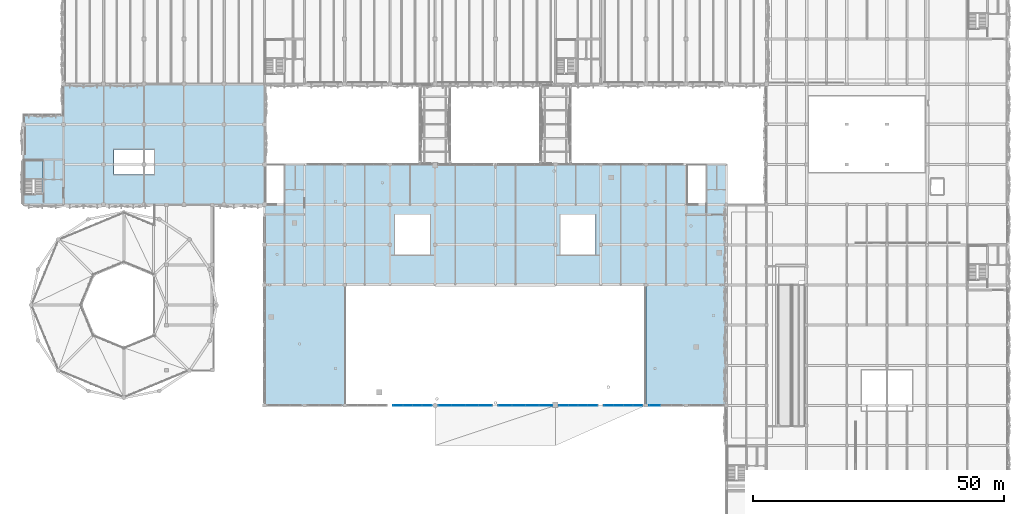
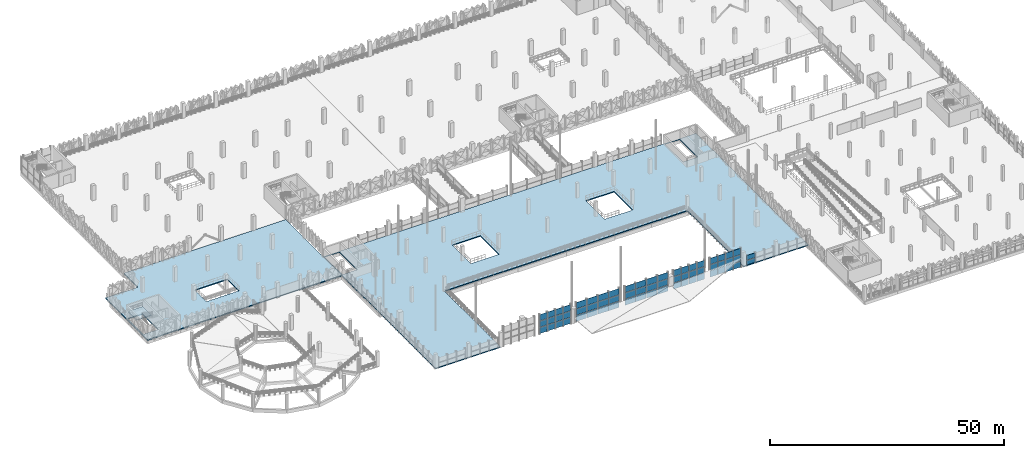
# One storey, part 61 of 123: 62 plates, 3 slabs, 7 elements without a shape of their own.
"""IFC4 building model written with IfcOpenShell, lengths in metres."""

from ifc_helpers import new_model, si_unit, derived_unit, direction, frame, origin, origin_2d, place, context, subcontext, project, spatial, polyline, rectangle, outline, extrude, material, layer, layer_set, type_object, element, aggregate, save


model = new_model("IFC4")

# Units and contexts
model_context = context("Model", 3, precision=1e-05, world=origin(), true_north=direction((0.0, 1.0)))
body_context = subcontext(model_context, "Body", "Model", "MODEL_VIEW")
ifc_project = project(units=[si_unit("LENGTHUNIT", "METRE"), si_unit("AREAUNIT", "SQUARE_METRE"), si_unit("VOLUMEUNIT", "CUBIC_METRE"), si_unit("PLANEANGLEUNIT", "RADIAN"), si_unit("MASSUNIT", "GRAM", prefix="KILO"), si_unit("THERMODYNAMICTEMPERATUREUNIT", "KELVIN"), derived_unit("THERMALTRANSMITTANCEUNIT", [(si_unit("POWERUNIT", "WATT"), 1), (si_unit("AREAUNIT", "SQUARE_METRE"), -1), (si_unit("THERMODYNAMICTEMPERATUREUNIT", "KELVIN"), -1)])], contexts=[model_context])

# Site, building, storey
site_placement = place(None, origin())
site = spatial("IfcSite", under=ifc_project, at=site_placement, CompositionType="ELEMENT")
building_placement = place(site_placement, origin())
building = spatial("IfcBuilding", under=site, at=building_placement, Name="Haiyu Intermodal Mobility Hub", CompositionType="ELEMENT")
storey_placement = place(building_placement, frame((0.0, 0.0, 5.60009765625)))
storey = spatial("IfcBuildingStorey", under=building, at=storey_placement, Name="L01", CompositionType="ELEMENT", Elevation=5.60009765625)

# Curtain wall, plates
ifc_material_1 = material(Name="Low-e laminated insulating glass", Category="glass")
ifc_layer_1 = layer(ifc_material_1, 0.219970703125)
ifc_layer_set_1 = layer_set([ifc_layer_1], Name="Low-e laminated insulating glass")
curtain_wall_type = type_object("IfcCurtainWallType", Name="CW-CW01", PredefinedType="NOTDEFINED", material=ifc_layer_set_1)
curtain_wall_1_placement = place(storey_placement, origin())
curtain_wall_1 = element("IfcCurtainWall", 1, at=curtain_wall_1_placement, inside=storey, type_object=curtain_wall_type, Name="Curtain Wall CW-V1S-UP-008", PredefinedType="NOTDEFINED")
ifc_layer_2 = layer(ifc_material_1, 0.035888671875)
ifc_layer_set_2 = layer_set([ifc_layer_2], Name="Low-e laminated insulating glass")
plate_type_1 = type_object("IfcPlateType", Name="PLT-CP01", PredefinedType="CURTAIN_PANEL", material=ifc_layer_set_2)
plate_1_placement = place(storey_placement, frame((88.6201171875, 40.0, 0.03564453125), z_axis=(0.0, 0.0, 1.0), x_axis=(1.0, 0.0, 0.0)))
plate_1 = element("IfcPlate", 2, at=plate_1_placement, type_object=plate_type_1, Name="CW-V1S-UP-008-PN01", PredefinedType="CURTAIN_PANEL", context=body_context, shape_type="SweptSolid", body=[
    extrude(rectangle(XDim=1.830078125, YDim=0.035888671875, at=origin_2d()), origin(), (0.0, 0.0, 1.0), 1.596923828125),
])
plate_2_placement = place(storey_placement, frame((88.6201171875, 40.0, 1.7021484375), z_axis=(0.0, 0.0, 1.0), x_axis=(1.0, 0.0, 0.0)))
plate_2 = element("IfcPlate", 3, at=plate_2_placement, type_object=plate_type_1, Name="CW-V1S-UP-008-PN02", PredefinedType="CURTAIN_PANEL", context=body_context, shape_type="SweptSolid", body=[
    extrude(rectangle(XDim=1.830078125, YDim=0.035888671875, at=origin_2d()), origin(), (0.0, 0.0, 1.0), 1.595947265625),
])
plate_3_placement = place(storey_placement, frame((90.5400390625, 40.0, 0.03564453125), z_axis=(0.0, 0.0, 1.0), x_axis=(1.0, 0.0, 0.0)))
plate_3 = element("IfcPlate", 4, at=plate_3_placement, type_object=plate_type_1, Name="CW-V1S-UP-008-PN04", PredefinedType="CURTAIN_PANEL", context=body_context, shape_type="SweptSolid", body=[
    extrude(rectangle(XDim=1.830078125, YDim=0.035888671875, at=origin_2d()), origin(), (0.0, 0.0, 1.0), 1.596923828125),
])
plate_4_placement = place(storey_placement, frame((90.5400390625, 40.0, 1.7021484375), z_axis=(0.0, 0.0, 1.0), x_axis=(1.0, 0.0, 0.0)))
plate_4 = element("IfcPlate", 5, at=plate_4_placement, type_object=plate_type_1, Name="CW-V1S-UP-008-PN05", PredefinedType="CURTAIN_PANEL", context=body_context, shape_type="SweptSolid", body=[
    extrude(rectangle(XDim=1.830078125, YDim=0.035888671875, at=origin_2d()), origin(), (0.0, 0.0, 1.0), 1.595947265625),
])
plate_5_placement = place(storey_placement, frame((92.4599609375, 40.0, 0.03564453125), z_axis=(0.0, 0.0, 1.0), x_axis=(1.0, 0.0, 0.0)))
plate_5 = element("IfcPlate", 6, at=plate_5_placement, type_object=plate_type_1, Name="CW-V1S-UP-008-PN07", PredefinedType="CURTAIN_PANEL", context=body_context, shape_type="SweptSolid", body=[
    extrude(rectangle(XDim=1.830078125, YDim=0.035888671875, at=origin_2d()), origin(), (0.0, 0.0, 1.0), 1.596923828125),
])
plate_6_placement = place(storey_placement, frame((92.4599609375, 40.0, 1.7021484375), z_axis=(0.0, 0.0, 1.0), x_axis=(1.0, 0.0, 0.0)))
plate_6 = element("IfcPlate", 7, at=plate_6_placement, type_object=plate_type_1, Name="CW-V1S-UP-008-PN08", PredefinedType="CURTAIN_PANEL", context=body_context, shape_type="SweptSolid", body=[
    extrude(rectangle(XDim=1.830078125, YDim=0.035888671875, at=origin_2d()), origin(), (0.0, 0.0, 1.0), 1.595947265625),
])
plate_7_placement = place(storey_placement, frame((94.3798828125, 40.0, 0.03564453125), z_axis=(0.0, 0.0, 1.0), x_axis=(1.0, 0.0, 0.0)))
plate_7 = element("IfcPlate", 8, at=plate_7_placement, type_object=plate_type_1, Name="CW-V1S-UP-008-PN10", PredefinedType="CURTAIN_PANEL", context=body_context, shape_type="SweptSolid", body=[
    extrude(rectangle(XDim=1.830078125, YDim=0.035888671875, at=origin_2d()), origin(), (0.0, 0.0, 1.0), 1.596923828125),
])
plate_8_placement = place(storey_placement, frame((94.3798828125, 40.0, 1.7021484375), z_axis=(0.0, 0.0, 1.0), x_axis=(1.0, 0.0, 0.0)))
plate_8 = element("IfcPlate", 9, at=plate_8_placement, type_object=plate_type_1, Name="CW-V1S-UP-008-PN11", PredefinedType="CURTAIN_PANEL", context=body_context, shape_type="SweptSolid", body=[
    extrude(rectangle(XDim=1.830078125, YDim=0.035888671875, at=origin_2d()), origin(), (0.0, 0.0, 1.0), 1.595947265625),
])

curtain_wall_2_placement = place(storey_placement, origin())
curtain_wall_2 = element("IfcCurtainWall", 10, at=curtain_wall_2_placement, inside=storey, type_object=curtain_wall_type, Name="Curtain Wall CW-V1S-UP-010", PredefinedType="NOTDEFINED")
plate_9_placement = place(storey_placement, frame((97.9951171875, 40.0, 0.03564453125), z_axis=(0.0, 0.0, 1.0), x_axis=(1.0, 0.0, 0.0)))
plate_9 = element("IfcPlate", 11, at=plate_9_placement, type_object=plate_type_1, Name="CW-V1S-UP-010-PN01", PredefinedType="CURTAIN_PANEL", context=body_context, shape_type="SweptSolid", body=[
    extrude(rectangle(XDim=2.580078125, YDim=0.035888671875, at=origin_2d()), origin(), (0.0, 0.0, 1.0), 1.596923828125),
])
plate_10_placement = place(storey_placement, frame((97.9951171875, 40.0, 1.7021484375), z_axis=(0.0, 0.0, 1.0), x_axis=(1.0, 0.0, 0.0)))
plate_10 = element("IfcPlate", 12, at=plate_10_placement, type_object=plate_type_1, Name="CW-V1S-UP-010-PN02", PredefinedType="CURTAIN_PANEL", context=body_context, shape_type="SweptSolid", body=[
    extrude(rectangle(XDim=2.580078125, YDim=0.035888671875, at=origin_2d()), origin(), (0.0, 0.0, 1.0), 1.595947265625),
])
plate_11_placement = place(storey_placement, frame((100.6650390625, 40.0, 0.03564453125), z_axis=(0.0, 0.0, 1.0), x_axis=(1.0, 0.0, 0.0)))
plate_11 = element("IfcPlate", 13, at=plate_11_placement, type_object=plate_type_1, Name="CW-V1S-UP-010-PN04", PredefinedType="CURTAIN_PANEL", context=body_context, shape_type="SweptSolid", body=[
    extrude(rectangle(XDim=2.580078125, YDim=0.035888671875, at=origin_2d()), origin(), (0.0, 0.0, 1.0), 1.596923828125),
])
plate_12_placement = place(storey_placement, frame((100.6650390625, 40.0, 1.7021484375), z_axis=(0.0, 0.0, 1.0), x_axis=(1.0, 0.0, 0.0)))
plate_12 = element("IfcPlate", 14, at=plate_12_placement, type_object=plate_type_1, Name="CW-V1S-UP-010-PN05", PredefinedType="CURTAIN_PANEL", context=body_context, shape_type="SweptSolid", body=[
    extrude(rectangle(XDim=2.580078125, YDim=0.035888671875, at=origin_2d()), origin(), (0.0, 0.0, 1.0), 1.595947265625),
])
plate_13_placement = place(storey_placement, frame((103.3349609375, 40.0, 0.03564453125), z_axis=(0.0, 0.0, 1.0), x_axis=(1.0, 0.0, 0.0)))
plate_13 = element("IfcPlate", 15, at=plate_13_placement, type_object=plate_type_1, Name="CW-V1S-UP-010-PN07", PredefinedType="CURTAIN_PANEL", context=body_context, shape_type="SweptSolid", body=[
    extrude(rectangle(XDim=2.580078125, YDim=0.035888671875, at=origin_2d()), origin(), (0.0, 0.0, 1.0), 1.596923828125),
])
plate_14_placement = place(storey_placement, frame((103.3349609375, 40.0, 1.7021484375), z_axis=(0.0, 0.0, 1.0), x_axis=(1.0, 0.0, 0.0)))
plate_14 = element("IfcPlate", 16, at=plate_14_placement, type_object=plate_type_1, Name="CW-V1S-UP-010-PN08", PredefinedType="CURTAIN_PANEL", context=body_context, shape_type="SweptSolid", body=[
    extrude(rectangle(XDim=2.580078125, YDim=0.035888671875, at=origin_2d()), origin(), (0.0, 0.0, 1.0), 1.595947265625),
])
plate_15_placement = place(storey_placement, frame((106.0048828125, 40.0, 0.03564453125), z_axis=(0.0, 0.0, 1.0), x_axis=(1.0, 0.0, 0.0)))
plate_15 = element("IfcPlate", 17, at=plate_15_placement, type_object=plate_type_1, Name="CW-V1S-UP-010-PN10", PredefinedType="CURTAIN_PANEL", context=body_context, shape_type="SweptSolid", body=[
    extrude(rectangle(XDim=2.580078125, YDim=0.035888671875, at=origin_2d()), origin(), (0.0, 0.0, 1.0), 1.596923828125),
])
plate_16_placement = place(storey_placement, frame((106.0048828125, 40.0, 1.7021484375), z_axis=(0.0, 0.0, 1.0), x_axis=(1.0, 0.0, 0.0)))
plate_16 = element("IfcPlate", 18, at=plate_16_placement, type_object=plate_type_1, Name="CW-V1S-UP-010-PN11", PredefinedType="CURTAIN_PANEL", context=body_context, shape_type="SweptSolid", body=[
    extrude(rectangle(XDim=2.580078125, YDim=0.035888671875, at=origin_2d()), origin(), (0.0, 0.0, 1.0), 1.595947265625),
])

curtain_wall_3_placement = place(storey_placement, origin())
curtain_wall_3 = element("IfcCurtainWall", 19, at=curtain_wall_3_placement, inside=storey, type_object=curtain_wall_type, Name="Curtain Wall CW-V1S-UP-012", PredefinedType="NOTDEFINED")
plate_17_placement = place(storey_placement, frame((109.9951171875, 40.0, 0.03564453125), z_axis=(0.0, 0.0, 1.0), x_axis=(1.0, 0.0, 0.0)))
plate_17 = element("IfcPlate", 20, at=plate_17_placement, type_object=plate_type_1, Name="CW-V1S-UP-012-PN01", PredefinedType="CURTAIN_PANEL", context=body_context, shape_type="SweptSolid", body=[
    extrude(rectangle(XDim=2.580078125, YDim=0.035888671875, at=origin_2d()), origin(), (0.0, 0.0, 1.0), 1.596923828125),
])
plate_18_placement = place(storey_placement, frame((109.9951171875, 40.0, 1.7021484375), z_axis=(0.0, 0.0, 1.0), x_axis=(1.0, 0.0, 0.0)))
plate_18 = element("IfcPlate", 21, at=plate_18_placement, type_object=plate_type_1, Name="CW-V1S-UP-012-PN02", PredefinedType="CURTAIN_PANEL", context=body_context, shape_type="SweptSolid", body=[
    extrude(rectangle(XDim=2.580078125, YDim=0.035888671875, at=origin_2d()), origin(), (0.0, 0.0, 1.0), 1.595947265625),
])
plate_19_placement = place(storey_placement, frame((112.6650390625, 40.0, 0.03564453125), z_axis=(0.0, 0.0, 1.0), x_axis=(1.0, 0.0, 0.0)))
plate_19 = element("IfcPlate", 22, at=plate_19_placement, type_object=plate_type_1, Name="CW-V1S-UP-012-PN04", PredefinedType="CURTAIN_PANEL", context=body_context, shape_type="SweptSolid", body=[
    extrude(rectangle(XDim=2.580078125, YDim=0.035888671875, at=origin_2d()), origin(), (0.0, 0.0, 1.0), 1.596923828125),
])
plate_20_placement = place(storey_placement, frame((112.6650390625, 40.0, 1.7021484375), z_axis=(0.0, 0.0, 1.0), x_axis=(1.0, 0.0, 0.0)))
plate_20 = element("IfcPlate", 23, at=plate_20_placement, type_object=plate_type_1, Name="CW-V1S-UP-012-PN05", PredefinedType="CURTAIN_PANEL", context=body_context, shape_type="SweptSolid", body=[
    extrude(rectangle(XDim=2.580078125, YDim=0.035888671875, at=origin_2d()), origin(), (0.0, 0.0, 1.0), 1.595947265625),
])
plate_21_placement = place(storey_placement, frame((115.3349609375, 40.0, 0.03564453125), z_axis=(0.0, 0.0, 1.0), x_axis=(1.0, 0.0, 0.0)))
plate_21 = element("IfcPlate", 24, at=plate_21_placement, type_object=plate_type_1, Name="CW-V1S-UP-012-PN07", PredefinedType="CURTAIN_PANEL", context=body_context, shape_type="SweptSolid", body=[
    extrude(rectangle(XDim=2.580078125, YDim=0.035888671875, at=origin_2d()), origin(), (0.0, 0.0, 1.0), 1.596923828125),
])
plate_22_placement = place(storey_placement, frame((115.3349609375, 40.0, 1.7021484375), z_axis=(0.0, 0.0, 1.0), x_axis=(1.0, 0.0, 0.0)))
plate_22 = element("IfcPlate", 25, at=plate_22_placement, type_object=plate_type_1, Name="CW-V1S-UP-012-PN08", PredefinedType="CURTAIN_PANEL", context=body_context, shape_type="SweptSolid", body=[
    extrude(rectangle(XDim=2.580078125, YDim=0.035888671875, at=origin_2d()), origin(), (0.0, 0.0, 1.0), 1.595947265625),
])
plate_23_placement = place(storey_placement, frame((118.0048828125, 40.0, 0.03564453125), z_axis=(0.0, 0.0, 1.0), x_axis=(1.0, 0.0, 0.0)))
plate_23 = element("IfcPlate", 26, at=plate_23_placement, type_object=plate_type_1, Name="CW-V1S-UP-012-PN10", PredefinedType="CURTAIN_PANEL", context=body_context, shape_type="SweptSolid", body=[
    extrude(rectangle(XDim=2.580078125, YDim=0.035888671875, at=origin_2d()), origin(), (0.0, 0.0, 1.0), 1.596923828125),
])
plate_24_placement = place(storey_placement, frame((118.0048828125, 40.0, 1.7021484375), z_axis=(0.0, 0.0, 1.0), x_axis=(1.0, 0.0, 0.0)))
plate_24 = element("IfcPlate", 27, at=plate_24_placement, type_object=plate_type_1, Name="CW-V1S-UP-012-PN11", PredefinedType="CURTAIN_PANEL", context=body_context, shape_type="SweptSolid", body=[
    extrude(rectangle(XDim=2.580078125, YDim=0.035888671875, at=origin_2d()), origin(), (0.0, 0.0, 1.0), 1.595947265625),
])

curtain_wall_4_placement = place(storey_placement, origin())
curtain_wall_4 = element("IfcCurtainWall", 28, at=curtain_wall_4_placement, inside=storey, type_object=curtain_wall_type, Name="Curtain Wall CW-V1S-UP-014", PredefinedType="NOTDEFINED")
plate_25_placement = place(storey_placement, frame((121.6201171875, 40.0, 0.03564453125), z_axis=(0.0, 0.0, 1.0), x_axis=(1.0, 0.0, 0.0)))
plate_25 = element("IfcPlate", 29, at=plate_25_placement, type_object=plate_type_1, Name="CW-V1S-UP-014-PN01", PredefinedType="CURTAIN_PANEL", context=body_context, shape_type="SweptSolid", body=[
    extrude(rectangle(XDim=1.830078125, YDim=0.035888671875, at=origin_2d()), origin(), (0.0, 0.0, 1.0), 1.596923828125),
])
plate_26_placement = place(storey_placement, frame((121.6201171875, 40.0, 1.7021484375), z_axis=(0.0, 0.0, 1.0), x_axis=(1.0, 0.0, 0.0)))
plate_26 = element("IfcPlate", 30, at=plate_26_placement, type_object=plate_type_1, Name="CW-V1S-UP-014-PN02", PredefinedType="CURTAIN_PANEL", context=body_context, shape_type="SweptSolid", body=[
    extrude(rectangle(XDim=1.830078125, YDim=0.035888671875, at=origin_2d()), origin(), (0.0, 0.0, 1.0), 1.595947265625),
])
plate_27_placement = place(storey_placement, frame((123.5400390625, 40.0, 0.03564453125), z_axis=(0.0, 0.0, 1.0), x_axis=(1.0, 0.0, 0.0)))
plate_27 = element("IfcPlate", 31, at=plate_27_placement, type_object=plate_type_1, Name="CW-V1S-UP-014-PN04", PredefinedType="CURTAIN_PANEL", context=body_context, shape_type="SweptSolid", body=[
    extrude(rectangle(XDim=1.830078125, YDim=0.035888671875, at=origin_2d()), origin(), (0.0, 0.0, 1.0), 1.596923828125),
])
plate_28_placement = place(storey_placement, frame((123.5400390625, 40.0, 1.7021484375), z_axis=(0.0, 0.0, 1.0), x_axis=(1.0, 0.0, 0.0)))
plate_28 = element("IfcPlate", 32, at=plate_28_placement, type_object=plate_type_1, Name="CW-V1S-UP-014-PN05", PredefinedType="CURTAIN_PANEL", context=body_context, shape_type="SweptSolid", body=[
    extrude(rectangle(XDim=1.830078125, YDim=0.035888671875, at=origin_2d()), origin(), (0.0, 0.0, 1.0), 1.595947265625),
])
plate_29_placement = place(storey_placement, frame((125.4599609375, 40.0, 0.03564453125), z_axis=(0.0, 0.0, 1.0), x_axis=(1.0, 0.0, 0.0)))
plate_29 = element("IfcPlate", 33, at=plate_29_placement, type_object=plate_type_1, Name="CW-V1S-UP-014-PN07", PredefinedType="CURTAIN_PANEL", context=body_context, shape_type="SweptSolid", body=[
    extrude(rectangle(XDim=1.830078125, YDim=0.035888671875, at=origin_2d()), origin(), (0.0, 0.0, 1.0), 1.596923828125),
])
plate_30_placement = place(storey_placement, frame((125.4599609375, 40.0, 1.7021484375), z_axis=(0.0, 0.0, 1.0), x_axis=(1.0, 0.0, 0.0)))
plate_30 = element("IfcPlate", 34, at=plate_30_placement, type_object=plate_type_1, Name="CW-V1S-UP-014-PN08", PredefinedType="CURTAIN_PANEL", context=body_context, shape_type="SweptSolid", body=[
    extrude(rectangle(XDim=1.830078125, YDim=0.035888671875, at=origin_2d()), origin(), (0.0, 0.0, 1.0), 1.595947265625),
])
plate_31_placement = place(storey_placement, frame((127.3798828125, 40.0, 0.03564453125), z_axis=(0.0, 0.0, 1.0), x_axis=(1.0, 0.0, 0.0)))
plate_31 = element("IfcPlate", 35, at=plate_31_placement, type_object=plate_type_1, Name="CW-V1S-UP-014-PN10", PredefinedType="CURTAIN_PANEL", context=body_context, shape_type="SweptSolid", body=[
    extrude(rectangle(XDim=1.830078125, YDim=0.035888671875, at=origin_2d()), origin(), (0.0, 0.0, 1.0), 1.596923828125),
])
plate_32_placement = place(storey_placement, frame((127.3798828125, 40.0, 1.7021484375), z_axis=(0.0, 0.0, 1.0), x_axis=(1.0, 0.0, 0.0)))
plate_32 = element("IfcPlate", 36, at=plate_32_placement, type_object=plate_type_1, Name="CW-V1S-UP-014-PN11", PredefinedType="CURTAIN_PANEL", context=body_context, shape_type="SweptSolid", body=[
    extrude(rectangle(XDim=1.830078125, YDim=0.035888671875, at=origin_2d()), origin(), (0.0, 0.0, 1.0), 1.595947265625),
])

curtain_wall_5_placement = place(storey_placement, origin())
curtain_wall_5 = element("IfcCurtainWall", 37, at=curtain_wall_5_placement, inside=storey, type_object=curtain_wall_type, Name="Curtain Wall CW-V1S-UP-016", PredefinedType="NOTDEFINED")
plate_33_placement = place(storey_placement, frame((130.6201171875, 40.0, 0.03564453125), z_axis=(0.0, 0.0, 1.0), x_axis=(1.0, 0.0, 0.0)))
plate_33 = element("IfcPlate", 38, at=plate_33_placement, type_object=plate_type_1, Name="CW-V1S-UP-016-PN01", PredefinedType="CURTAIN_PANEL", context=body_context, shape_type="SweptSolid", body=[
    extrude(rectangle(XDim=1.830078125, YDim=0.035888671875, at=origin_2d()), origin(), (0.0, 0.0, 1.0), 1.596923828125),
])
plate_34_placement = place(storey_placement, frame((130.6201171875, 40.0, 1.7021484375), z_axis=(0.0, 0.0, 1.0), x_axis=(1.0, 0.0, 0.0)))
plate_34 = element("IfcPlate", 39, at=plate_34_placement, type_object=plate_type_1, Name="CW-V1S-UP-016-PN02", PredefinedType="CURTAIN_PANEL", context=body_context, shape_type="SweptSolid", body=[
    extrude(rectangle(XDim=1.830078125, YDim=0.035888671875, at=origin_2d()), origin(), (0.0, 0.0, 1.0), 1.595947265625),
])
plate_35_placement = place(storey_placement, frame((132.5400390625, 40.0, 0.03564453125), z_axis=(0.0, 0.0, 1.0), x_axis=(1.0, 0.0, 0.0)))
plate_35 = element("IfcPlate", 40, at=plate_35_placement, type_object=plate_type_1, Name="CW-V1S-UP-016-PN04", PredefinedType="CURTAIN_PANEL", context=body_context, shape_type="SweptSolid", body=[
    extrude(rectangle(XDim=1.830078125, YDim=0.035888671875, at=origin_2d()), origin(), (0.0, 0.0, 1.0), 1.596923828125),
])
plate_36_placement = place(storey_placement, frame((132.5400390625, 40.0, 1.7021484375), z_axis=(0.0, 0.0, 1.0), x_axis=(1.0, 0.0, 0.0)))
plate_36 = element("IfcPlate", 41, at=plate_36_placement, type_object=plate_type_1, Name="CW-V1S-UP-016-PN05", PredefinedType="CURTAIN_PANEL", context=body_context, shape_type="SweptSolid", body=[
    extrude(rectangle(XDim=1.830078125, YDim=0.035888671875, at=origin_2d()), origin(), (0.0, 0.0, 1.0), 1.595947265625),
])
plate_37_placement = place(storey_placement, frame((134.4599609375, 40.0, 0.03564453125), z_axis=(0.0, 0.0, 1.0), x_axis=(1.0, 0.0, 0.0)))
plate_37 = element("IfcPlate", 42, at=plate_37_placement, type_object=plate_type_1, Name="CW-V1S-UP-016-PN07", PredefinedType="CURTAIN_PANEL", context=body_context, shape_type="SweptSolid", body=[
    extrude(rectangle(XDim=1.830078125, YDim=0.035888671875, at=origin_2d()), origin(), (0.0, 0.0, 1.0), 1.596923828125),
])
plate_38_placement = place(storey_placement, frame((134.4599609375, 40.0, 1.7021484375), z_axis=(0.0, 0.0, 1.0), x_axis=(1.0, 0.0, 0.0)))
plate_38 = element("IfcPlate", 43, at=plate_38_placement, type_object=plate_type_1, Name="CW-V1S-UP-016-PN08", PredefinedType="CURTAIN_PANEL", context=body_context, shape_type="SweptSolid", body=[
    extrude(rectangle(XDim=1.830078125, YDim=0.035888671875, at=origin_2d()), origin(), (0.0, 0.0, 1.0), 1.595947265625),
])
plate_39_placement = place(storey_placement, frame((136.3798828125, 40.0, 0.03564453125), z_axis=(0.0, 0.0, 1.0), x_axis=(1.0, 0.0, 0.0)))
plate_39 = element("IfcPlate", 44, at=plate_39_placement, type_object=plate_type_1, Name="CW-V1S-UP-016-PN10", PredefinedType="CURTAIN_PANEL", context=body_context, shape_type="SweptSolid", body=[
    extrude(rectangle(XDim=1.830078125, YDim=0.035888671875, at=origin_2d()), origin(), (0.0, 0.0, 1.0), 1.596923828125),
])
plate_40_placement = place(storey_placement, frame((136.3798828125, 40.0, 1.7021484375), z_axis=(0.0, 0.0, 1.0), x_axis=(1.0, 0.0, 0.0)))
plate_40 = element("IfcPlate", 45, at=plate_40_placement, type_object=plate_type_1, Name="CW-V1S-UP-016-PN11", PredefinedType="CURTAIN_PANEL", context=body_context, shape_type="SweptSolid", body=[
    extrude(rectangle(XDim=1.830078125, YDim=0.035888671875, at=origin_2d()), origin(), (0.0, 0.0, 1.0), 1.595947265625),
])

# Curtain wall, plate
curtain_wall_6_placement = place(storey_placement, origin())
curtain_wall_6 = element("IfcCurtainWall", 46, at=curtain_wall_6_placement, inside=storey, type_object=curtain_wall_type, Name="Curtain Wall CW-V1S-L01-018", PredefinedType="NOTDEFINED")
plate_41_placement = place(storey_placement, frame((139.77294921875, 40.0, 0.035400390625), z_axis=(0.0, 0.0, 1.0), x_axis=(1.0, 0.0, 0.0)))
plate_41 = element("IfcPlate", 47, at=plate_41_placement, type_object=plate_type_1, Name="CW-V1S-L01-018-PN01", PredefinedType="CURTAIN_PANEL", context=body_context, shape_type="SweptSolid", body=[
    extrude(rectangle(XDim=2.136962890625, YDim=0.035888671875, at=origin_2d()), origin(), (0.0, 0.0, 1.0), 1.205078125),
])

# Plate
ifc_layer_3 = layer(ifc_material_1, 0.0439453125)
ifc_layer_set_3 = layer_set([ifc_layer_3], Name="Low-e laminated insulating glass")
plate_type_2 = type_object("IfcPlateType", Name="PLT-CP04", PredefinedType="CURTAIN_PANEL", material=ifc_layer_set_3)
plate_42_placement = place(storey_placement, frame((88.6201171875, 40.0, 3.36767578125), z_axis=(0.0, 0.0, 1.0), x_axis=(1.0, 0.0, 0.0)))
plate_42 = element("IfcPlate", 48, at=plate_42_placement, type_object=plate_type_2, Name="CW-V1S-UP-008-PN03", PredefinedType="CURTAIN_PANEL", context=body_context, shape_type="SweptSolid", body=[
    extrude(rectangle(XDim=1.830078125, YDim=0.0439453125, at=origin_2d()), origin(), (0.0, 0.0, 1.0), 1.596923828125),
])

plate_43_placement = place(storey_placement, frame((90.5400390625, 40.0, 3.36767578125), z_axis=(0.0, 0.0, 1.0), x_axis=(1.0, 0.0, 0.0)))
plate_43 = element("IfcPlate", 49, at=plate_43_placement, type_object=plate_type_2, Name="CW-V1S-UP-008-PN06", PredefinedType="CURTAIN_PANEL", context=body_context, shape_type="SweptSolid", body=[
    extrude(rectangle(XDim=1.830078125, YDim=0.0439453125, at=origin_2d()), origin(), (0.0, 0.0, 1.0), 1.596923828125),
])

plate_44_placement = place(storey_placement, frame((92.4599609375, 40.0, 3.36767578125), z_axis=(0.0, 0.0, 1.0), x_axis=(1.0, 0.0, 0.0)))
plate_44 = element("IfcPlate", 50, at=plate_44_placement, type_object=plate_type_2, Name="CW-V1S-UP-008-PN09", PredefinedType="CURTAIN_PANEL", context=body_context, shape_type="SweptSolid", body=[
    extrude(rectangle(XDim=1.830078125, YDim=0.0439453125, at=origin_2d()), origin(), (0.0, 0.0, 1.0), 1.596923828125),
])

plate_45_placement = place(storey_placement, frame((94.3798828125, 40.0, 3.36767578125), z_axis=(0.0, 0.0, 1.0), x_axis=(1.0, 0.0, 0.0)))
plate_45 = element("IfcPlate", 51, at=plate_45_placement, type_object=plate_type_2, Name="CW-V1S-UP-008-PN12", PredefinedType="CURTAIN_PANEL", context=body_context, shape_type="SweptSolid", body=[
    extrude(rectangle(XDim=1.830078125, YDim=0.0439453125, at=origin_2d()), origin(), (0.0, 0.0, 1.0), 1.596923828125),
])

aggregate(curtain_wall_1, [plate_1, plate_2, plate_42, plate_3, plate_4, plate_43, plate_5, plate_6, plate_44, plate_7, plate_8, plate_45])

plate_46_placement = place(storey_placement, frame((97.9951171875, 40.0, 3.36767578125), z_axis=(0.0, 0.0, 1.0), x_axis=(1.0, 0.0, 0.0)))
plate_46 = element("IfcPlate", 52, at=plate_46_placement, type_object=plate_type_2, Name="CW-V1S-UP-010-PN03", PredefinedType="CURTAIN_PANEL", context=body_context, shape_type="SweptSolid", body=[
    extrude(rectangle(XDim=2.580078125, YDim=0.0439453125, at=origin_2d()), origin(), (0.0, 0.0, 1.0), 1.596923828125),
])

plate_47_placement = place(storey_placement, frame((100.6650390625, 40.0, 3.36767578125), z_axis=(0.0, 0.0, 1.0), x_axis=(1.0, 0.0, 0.0)))
plate_47 = element("IfcPlate", 53, at=plate_47_placement, type_object=plate_type_2, Name="CW-V1S-UP-010-PN06", PredefinedType="CURTAIN_PANEL", context=body_context, shape_type="SweptSolid", body=[
    extrude(rectangle(XDim=2.580078125, YDim=0.0439453125, at=origin_2d()), origin(), (0.0, 0.0, 1.0), 1.596923828125),
])

plate_48_placement = place(storey_placement, frame((103.3349609375, 40.0, 3.36767578125), z_axis=(0.0, 0.0, 1.0), x_axis=(1.0, 0.0, 0.0)))
plate_48 = element("IfcPlate", 54, at=plate_48_placement, type_object=plate_type_2, Name="CW-V1S-UP-010-PN09", PredefinedType="CURTAIN_PANEL", context=body_context, shape_type="SweptSolid", body=[
    extrude(rectangle(XDim=2.580078125, YDim=0.0439453125, at=origin_2d()), origin(), (0.0, 0.0, 1.0), 1.596923828125),
])

plate_49_placement = place(storey_placement, frame((106.0048828125, 40.0, 3.36767578125), z_axis=(0.0, 0.0, 1.0), x_axis=(1.0, 0.0, 0.0)))
plate_49 = element("IfcPlate", 55, at=plate_49_placement, type_object=plate_type_2, Name="CW-V1S-UP-010-PN12", PredefinedType="CURTAIN_PANEL", context=body_context, shape_type="SweptSolid", body=[
    extrude(rectangle(XDim=2.580078125, YDim=0.0439453125, at=origin_2d()), origin(), (0.0, 0.0, 1.0), 1.596923828125),
])

aggregate(curtain_wall_2, [plate_9, plate_10, plate_46, plate_11, plate_12, plate_47, plate_13, plate_14, plate_48, plate_15, plate_16, plate_49])

plate_50_placement = place(storey_placement, frame((109.9951171875, 40.0, 3.36767578125), z_axis=(0.0, 0.0, 1.0), x_axis=(1.0, 0.0, 0.0)))
plate_50 = element("IfcPlate", 56, at=plate_50_placement, type_object=plate_type_2, Name="CW-V1S-UP-012-PN03", PredefinedType="CURTAIN_PANEL", context=body_context, shape_type="SweptSolid", body=[
    extrude(rectangle(XDim=2.580078125, YDim=0.0439453125, at=origin_2d()), origin(), (0.0, 0.0, 1.0), 1.596923828125),
])

plate_51_placement = place(storey_placement, frame((112.6650390625, 40.0, 3.36767578125), z_axis=(0.0, 0.0, 1.0), x_axis=(1.0, 0.0, 0.0)))
plate_51 = element("IfcPlate", 57, at=plate_51_placement, type_object=plate_type_2, Name="CW-V1S-UP-012-PN06", PredefinedType="CURTAIN_PANEL", context=body_context, shape_type="SweptSolid", body=[
    extrude(rectangle(XDim=2.580078125, YDim=0.0439453125, at=origin_2d()), origin(), (0.0, 0.0, 1.0), 1.596923828125),
])

plate_52_placement = place(storey_placement, frame((115.3349609375, 40.0, 3.36767578125), z_axis=(0.0, 0.0, 1.0), x_axis=(1.0, 0.0, 0.0)))
plate_52 = element("IfcPlate", 58, at=plate_52_placement, type_object=plate_type_2, Name="CW-V1S-UP-012-PN09", PredefinedType="CURTAIN_PANEL", context=body_context, shape_type="SweptSolid", body=[
    extrude(rectangle(XDim=2.580078125, YDim=0.0439453125, at=origin_2d()), origin(), (0.0, 0.0, 1.0), 1.596923828125),
])

plate_53_placement = place(storey_placement, frame((118.0048828125, 40.0, 3.36767578125), z_axis=(0.0, 0.0, 1.0), x_axis=(1.0, 0.0, 0.0)))
plate_53 = element("IfcPlate", 59, at=plate_53_placement, type_object=plate_type_2, Name="CW-V1S-UP-012-PN12", PredefinedType="CURTAIN_PANEL", context=body_context, shape_type="SweptSolid", body=[
    extrude(rectangle(XDim=2.580078125, YDim=0.0439453125, at=origin_2d()), origin(), (0.0, 0.0, 1.0), 1.596923828125),
])

aggregate(curtain_wall_3, [plate_17, plate_18, plate_50, plate_19, plate_20, plate_51, plate_21, plate_22, plate_52, plate_23, plate_24, plate_53])

plate_54_placement = place(storey_placement, frame((121.6201171875, 40.0, 3.36767578125), z_axis=(0.0, 0.0, 1.0), x_axis=(1.0, 0.0, 0.0)))
plate_54 = element("IfcPlate", 60, at=plate_54_placement, type_object=plate_type_2, Name="CW-V1S-UP-014-PN03", PredefinedType="CURTAIN_PANEL", context=body_context, shape_type="SweptSolid", body=[
    extrude(rectangle(XDim=1.830078125, YDim=0.0439453125, at=origin_2d()), origin(), (0.0, 0.0, 1.0), 1.596923828125),
])

plate_55_placement = place(storey_placement, frame((123.5400390625, 40.0, 3.36767578125), z_axis=(0.0, 0.0, 1.0), x_axis=(1.0, 0.0, 0.0)))
plate_55 = element("IfcPlate", 61, at=plate_55_placement, type_object=plate_type_2, Name="CW-V1S-UP-014-PN06", PredefinedType="CURTAIN_PANEL", context=body_context, shape_type="SweptSolid", body=[
    extrude(rectangle(XDim=1.830078125, YDim=0.0439453125, at=origin_2d()), origin(), (0.0, 0.0, 1.0), 1.596923828125),
])

plate_56_placement = place(storey_placement, frame((125.4599609375, 40.0, 3.36767578125), z_axis=(0.0, 0.0, 1.0), x_axis=(1.0, 0.0, 0.0)))
plate_56 = element("IfcPlate", 62, at=plate_56_placement, type_object=plate_type_2, Name="CW-V1S-UP-014-PN09", PredefinedType="CURTAIN_PANEL", context=body_context, shape_type="SweptSolid", body=[
    extrude(rectangle(XDim=1.830078125, YDim=0.0439453125, at=origin_2d()), origin(), (0.0, 0.0, 1.0), 1.596923828125),
])

plate_57_placement = place(storey_placement, frame((127.3798828125, 40.0, 3.36767578125), z_axis=(0.0, 0.0, 1.0), x_axis=(1.0, 0.0, 0.0)))
plate_57 = element("IfcPlate", 63, at=plate_57_placement, type_object=plate_type_2, Name="CW-V1S-UP-014-PN12", PredefinedType="CURTAIN_PANEL", context=body_context, shape_type="SweptSolid", body=[
    extrude(rectangle(XDim=1.830078125, YDim=0.0439453125, at=origin_2d()), origin(), (0.0, 0.0, 1.0), 1.596923828125),
])

aggregate(curtain_wall_4, [plate_25, plate_26, plate_54, plate_27, plate_28, plate_55, plate_29, plate_30, plate_56, plate_31, plate_32, plate_57])

plate_58_placement = place(storey_placement, frame((130.6201171875, 40.0, 3.36767578125), z_axis=(0.0, 0.0, 1.0), x_axis=(1.0, 0.0, 0.0)))
plate_58 = element("IfcPlate", 64, at=plate_58_placement, type_object=plate_type_2, Name="CW-V1S-UP-016-PN03", PredefinedType="CURTAIN_PANEL", context=body_context, shape_type="SweptSolid", body=[
    extrude(rectangle(XDim=1.830078125, YDim=0.0439453125, at=origin_2d()), origin(), (0.0, 0.0, 1.0), 1.596923828125),
])

plate_59_placement = place(storey_placement, frame((132.5400390625, 40.0, 3.36767578125), z_axis=(0.0, 0.0, 1.0), x_axis=(1.0, 0.0, 0.0)))
plate_59 = element("IfcPlate", 65, at=plate_59_placement, type_object=plate_type_2, Name="CW-V1S-UP-016-PN06", PredefinedType="CURTAIN_PANEL", context=body_context, shape_type="SweptSolid", body=[
    extrude(rectangle(XDim=1.830078125, YDim=0.0439453125, at=origin_2d()), origin(), (0.0, 0.0, 1.0), 1.596923828125),
])

plate_60_placement = place(storey_placement, frame((134.4599609375, 40.0, 3.36767578125), z_axis=(0.0, 0.0, 1.0), x_axis=(1.0, 0.0, 0.0)))
plate_60 = element("IfcPlate", 66, at=plate_60_placement, type_object=plate_type_2, Name="CW-V1S-UP-016-PN09", PredefinedType="CURTAIN_PANEL", context=body_context, shape_type="SweptSolid", body=[
    extrude(rectangle(XDim=1.830078125, YDim=0.0439453125, at=origin_2d()), origin(), (0.0, 0.0, 1.0), 1.596923828125),
])

plate_61_placement = place(storey_placement, frame((136.3798828125, 40.0, 3.36767578125), z_axis=(0.0, 0.0, 1.0), x_axis=(1.0, 0.0, 0.0)))
plate_61 = element("IfcPlate", 67, at=plate_61_placement, type_object=plate_type_2, Name="CW-V1S-UP-016-PN12", PredefinedType="CURTAIN_PANEL", context=body_context, shape_type="SweptSolid", body=[
    extrude(rectangle(XDim=1.830078125, YDim=0.0439453125, at=origin_2d()), origin(), (0.0, 0.0, 1.0), 1.596923828125),
])

aggregate(curtain_wall_5, [plate_33, plate_34, plate_58, plate_35, plate_36, plate_59, plate_37, plate_38, plate_60, plate_39, plate_40, plate_61])

plate_62_placement = place(storey_placement, frame((139.77294921875, 40.0, 1.309326171875), z_axis=(0.0, 0.0, 1.0), x_axis=(1.0, 0.0, 0.0)))
plate_62 = element("IfcPlate", 68, at=plate_62_placement, type_object=plate_type_2, Name="CW-V1S-L01-018-PN02", PredefinedType="CURTAIN_PANEL", context=body_context, shape_type="SweptSolid", body=[
    extrude(rectangle(XDim=2.136962890625, YDim=0.0439453125, at=origin_2d()), origin(), (0.0, 0.0, 1.0), 1.205078125),
])

aggregate(curtain_wall_6, [plate_41, plate_62])

# Slabs
ifc_material_2 = material(Name="Concrete C40", Category="concrete")
ifc_layer_4 = layer(ifc_material_2, 0.219970703125)
ifc_layer_set_4 = layer_set([ifc_layer_4], Name="Concrete C40")
slab_type_1 = type_object("IfcSlabType", Name="SLB-SL04", PredefinedType="FLOOR", material=ifc_layer_set_4)
slab_1_placement = place(storey_placement, frame((0.0, 0.0, -0.26513671875)))
element("IfcSlab", 69, at=slab_1_placement, inside=storey, type_object=slab_type_1, Name="L01 West Mobility Connector Deck", PredefinedType="FLOOR", context=body_context, shape_type="SweptSolid", body=[
    extrude(outline(polyline([(14.0, 80.0), (61.9599609375, 80.0), (61.9599609375, 103.97998046875), (22.0, 103.97998046875), (22.0, 98.0), (14.0, 98.0), (14.0, 80.0)]), holes=[polyline([(14.219970703125, 82.14990234375), (17.85009765625, 82.14990234375), (17.85009765625, 88.949951171875), (14.219970703125, 88.949951171875), (14.219970703125, 82.14990234375)]), polyline([(32.0, 86.0), (40.0, 86.0), (40.0, 91.0), (32.0, 91.0), (32.0, 86.0)])]), origin(), (0.0, 0.0, 1.0), 0.26513671875),
])
ifc_layer_5 = layer(ifc_material_2, 0.260009765625)
ifc_layer_set_5 = layer_set([ifc_layer_5], Name="Concrete C40")
slab_type_2 = type_object("IfcSlabType", Name="SLB-SL06", PredefinedType="FLOOR", material=ifc_layer_set_5)
slab_2_placement = place(storey_placement, frame((0.0, 0.0, -0.260009765625)))
element("IfcSlab", 70, at=slab_2_placement, inside=storey, type_object=slab_type_2, Name="L01 Concourse Mezzanine Overlook Slab", PredefinedType="FLOOR", context=body_context, shape_type="SweptSolid", body=[
    extrude(outline(polyline([(62.0, 40.0), (78.0, 40.0), (78.0, 64.0), (138.0, 64.0), (138.0, 40.0), (154.0, 40.0), (154.0, 88.0), (62.0, 88.0), (62.0, 40.0)]), holes=[polyline([(62.219970703125, 80.14990234375), (65.85009765625, 80.14990234375), (65.85009765625, 87.949951171875), (62.219970703125, 87.949951171875), (62.219970703125, 80.14990234375)]), polyline([(146.219970703125, 80.14990234375), (149.85009765625, 80.14990234375), (149.85009765625, 87.949951171875), (146.219970703125, 87.949951171875), (146.219970703125, 80.14990234375)]), polyline([(88.0, 70.0), (95.0, 70.0), (95.0, 78.0), (88.0, 78.0), (88.0, 70.0)]), polyline([(121.0, 70.0), (128.0, 70.0), (128.0, 78.0), (121.0, 78.0), (121.0, 70.0)])]), origin(), (0.0, 0.0, 1.0), 0.260009765625),
])

# Stair, slab
stair_type = type_object("IfcStairType", Name="STR-ST03", PredefinedType="HALF_TURN_STAIR", material=ifc_material_2)
stair_placement = place(storey_placement, origin())
stair = element("IfcStair", 71, at=stair_placement, inside=storey, type_object=stair_type, Name="Exit Stair ST02 L01", PredefinedType="HALF_TURN_STAIR")
ifc_layer_6 = layer(ifc_material_2, 0.2099609375)
ifc_layer_set_6 = layer_set([ifc_layer_6], Name="Concrete C40")
slab_type_3 = type_object("IfcSlabType", Name="SLB-SL13", PredefinedType="LANDING", material=ifc_layer_set_6)
slab_3_placement = place(storey_placement, frame((0.0, 0.0, 1.739990234375)))
slab_3 = element("IfcSlab", 72, at=slab_3_placement, type_object=slab_type_3, Name="Stair Half-Landing STR-C7-L01-LND", PredefinedType="LANDING", context=body_context, shape_type="SweptSolid", body=[
    extrude(outline(polyline([(14.219970703125, 85.1298828125), (17.8701171875, 85.1298828125), (17.8701171875, 88.780029296875), (14.219970703125, 88.780029296875), (14.219970703125, 85.1298828125)])), origin(), (0.0, 0.0, 1.0), 0.2099609375),
])
aggregate(stair, [slab_3])

save(model, "model.ifc")
